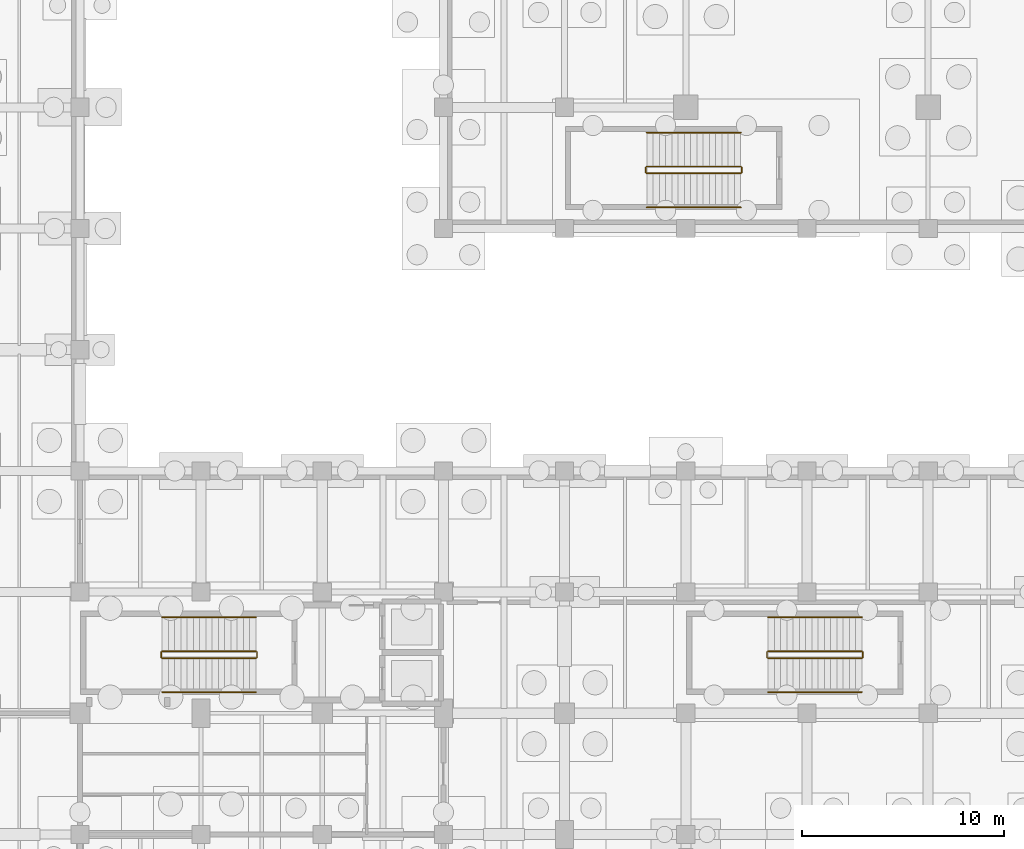
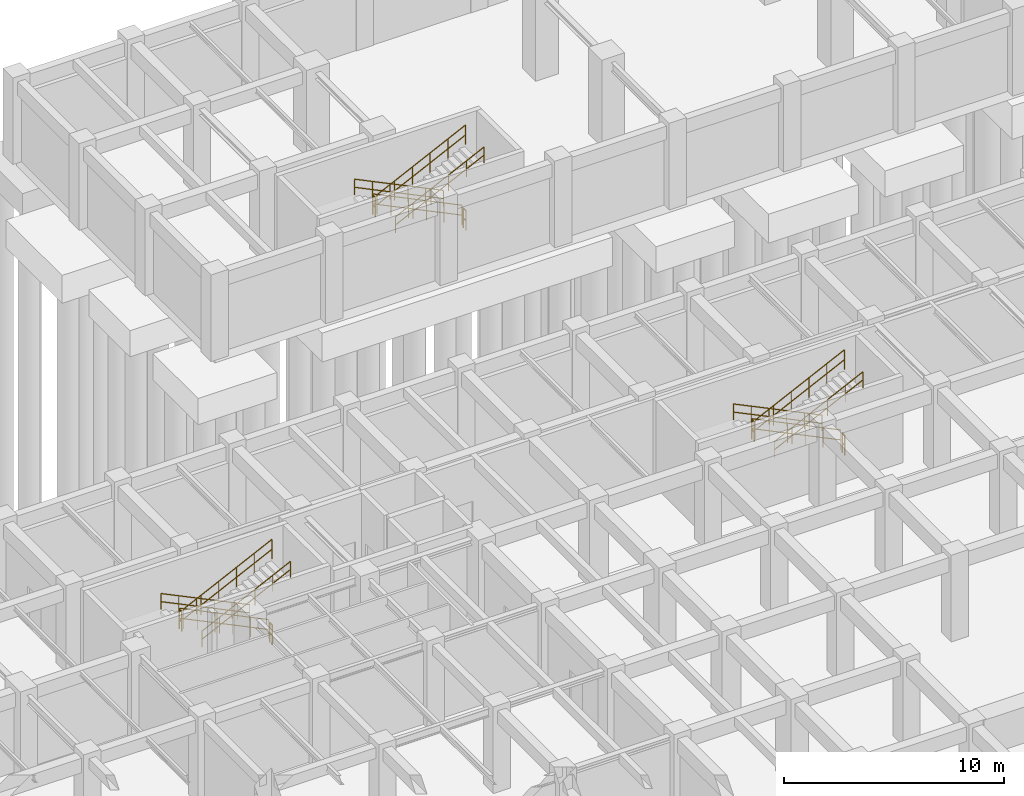
# One storey, part 50 of 54: 18 railings.
"""IFC4 building model written with IfcOpenShell, lengths in metres."""

import ifcopenshell
import ifcopenshell.guid

model = None  # the IFC model being written
_history = None  # IfcOwnerHistory: only IFC2X3 demands one
_inside = {}  # id of a spatial element -> (the spatial element, [elements in it])
_under = {}  # id of a project, library or spatial element -> (it, [spatial elements below it])
_declared = {}  # id of a project -> (the project, [libraries it declares])
_typed = {}  # id of a type object -> (the type object, [elements of that type])
_made_of = {}  # id of a material, layer set ... -> (it, [elements and type objects made of it])


def new_model(schema):
    """Start an empty IFC model of exactly this schema.

    Asked for "IFC4X3", IfcOpenShell would pick the latest addendum, in which some entities
    have other attributes; the version numbers below select the first issue.
    IFC2X3 requires an IfcOwnerHistory on every rooted entity: one is made here for all.
    """
    global model, _history
    if schema == "IFC4X3":
        model = ifcopenshell.file(schema_version=(4, 3, 0, 0))
    else:
        model = ifcopenshell.file(schema=schema)
    _inside.clear()
    _under.clear()
    _declared.clear()
    _typed.clear()
    _made_of.clear()
    _history = None
    if model.schema == "IFC2X3":
        org = make("IfcOrganization", Name="unknown")
        user = make(
            "IfcPersonAndOrganization",
            ThePerson=make("IfcPerson", FamilyName="unknown"),
            TheOrganization=org,
        )
        app = make(
            "IfcApplication",
            ApplicationDeveloper=org,
            Version="unknown",
            ApplicationFullName="unknown",
            ApplicationIdentifier="unknown",
        )
        _history = make(
            "IfcOwnerHistory",
            OwningUser=user,
            OwningApplication=app,
            ChangeAction="ADDED",
            CreationDate=0,
        )
    return model


def make(cls, **values):
    """One entity of the class cls with the attributes given. An attribute that is None is left unset."""
    return model.create_entity(
        cls, **{name: value for name, value in values.items() if value is not None}
    )


def rooted(cls, **values):
    """An entity with a GlobalId (a new one), such as an element, a storey or a relation."""
    return make(cls, GlobalId=ifcopenshell.guid.new(), OwnerHistory=_history, **values)


def si_unit(unit_type, name, prefix=None):
    """IfcSIUnit, for example si_unit("LENGTHUNIT", "METRE", prefix="MILLI")."""
    return make("IfcSIUnit", UnitType=unit_type, Prefix=prefix, Name=name)


def assignment(units):
    """IfcUnitAssignment: the units of a project."""
    return None if units is None else make("IfcUnitAssignment", Units=units)


def point(xyz):
    """IfcCartesianPoint."""
    return None if xyz is None else make("IfcCartesianPoint", Coordinates=xyz)


def direction(xyz):
    """IfcDirection."""
    return None if xyz is None else make("IfcDirection", DirectionRatios=xyz)


def frame(location, z_axis=None, x_axis=None):
    """IfcAxis2Placement3D, a coordinate frame: its origin and axes. An axis left out is left unset."""
    return make(
        "IfcAxis2Placement3D",
        Location=point(location),
        Axis=direction(z_axis),
        RefDirection=direction(x_axis),
    )


def frame_2d(location, x_axis=None):
    """IfcAxis2Placement2D, a coordinate frame in the plane: its origin and x axis."""
    return make(
        "IfcAxis2Placement2D", Location=point(location), RefDirection=direction(x_axis)
    )


def origin():
    """The frame at (0, 0, 0) with its axes left unset."""
    return frame((0.0, 0.0, 0.0))


def origin_2d():
    """The frame at (0, 0) in the plane with its x axis left unset."""
    return frame_2d((0.0, 0.0))


def place(relative_to, where):
    """IfcLocalPlacement: puts the frame where relative to a parent placement (None: the world)."""
    return make(
        "IfcLocalPlacement", PlacementRelTo=relative_to, RelativePlacement=where
    )


def context(
    kind, dimensions, precision=None, world=None, true_north=None, identifier=None
):
    """IfcGeometricRepresentationContext, for example the 3D "Model" context."""
    return make(
        "IfcGeometricRepresentationContext",
        ContextIdentifier=identifier,
        ContextType=kind,
        CoordinateSpaceDimension=dimensions,
        Precision=precision,
        WorldCoordinateSystem=world,
        TrueNorth=true_north,
    )


def subcontext(parent, identifier, kind, view, scale=None):
    """IfcGeometricRepresentationSubContext, for example "Body" below "Model"."""
    return make(
        "IfcGeometricRepresentationSubContext",
        ContextIdentifier=identifier,
        ContextType=kind,
        ParentContext=parent,
        TargetScale=scale,
        TargetView=view,
    )


def project(units=None, contexts=None):
    """IfcProject with its units and contexts."""
    return rooted(
        "IfcProject",
        Name="project",
        RepresentationContexts=contexts,
        UnitsInContext=assignment(units),
    )


def spatial(cls, under=None, at=None, **own):
    """A site, building, storey or space (cls), placed at a placement, below another one or the project."""
    s = rooted(cls, ObjectPlacement=at, **own)
    if under is not None:
        _under.setdefault(under.id(), (under, []))[1].append(s)
    return s


def profile(cls, at=None, kind="AREA", **sizes):
    """A parametric profile (cls). Its sizes go by their IFC names, for example OverallWidth=200.0."""
    return make(cls, ProfileType=kind, Position=at, **sizes)


def circle(**sizes):
    """IfcCircleProfileDef."""
    return profile("IfcCircleProfileDef", **sizes)


def extrude(swept, where, along, depth):
    """IfcExtrudedAreaSolid: the profile swept, set in the frame where, extruded along a direction by depth."""
    return make(
        "IfcExtrudedAreaSolid",
        SweptArea=swept,
        Position=where,
        ExtrudedDirection=direction(along),
        Depth=depth,
    )


def shape(context_of_items, identifier, shape_type, items):
    """IfcShapeRepresentation: the items that make up one representation, for example the "Body"."""
    return make(
        "IfcShapeRepresentation",
        ContextOfItems=context_of_items,
        RepresentationIdentifier=identifier,
        RepresentationType=shape_type,
        Items=items,
    )


def material(Name=None, Category=None):
    """IfcMaterial."""
    return make("IfcMaterial", Name=Name, Category=Category)


def made_of(thing, what):
    """Note that an element or type object is made of a material, layer set ...; save() writes the relation."""
    if what is not None:
        _made_of.setdefault(what.id(), (what, []))[1].append(thing)
    return thing


def type_object(cls, material=None, **own):
    """A type object (cls), such as IfcWallType, which elements share."""
    return made_of(rooted(cls, **own), material)


def element(
    cls,
    number,
    at=None,
    inside=None,
    cuts=None,
    type_object=None,
    material=None,
    context=None,
    identifier="Body",
    shape_type=None,
    held_by="IfcProductDefinitionShape",
    body=None,
    shapes=None,
    **own,
):
    """One element of the class cls, such as IfcWall. Its Tag is "e" and its number.

    at: its placement. inside: the storey or other place that contains it. cuts: it is an
    opening in that element (IfcRelVoidsElement). A single representation is given by context,
    identifier, shape_type and body (its items); several are given by shapes. held_by: the class
    of the entity that holds the representations. save() writes the other relations.
    """
    e = rooted(cls, Tag="e%d" % number, ObjectPlacement=at, **own)
    if body is not None:
        shapes = [shape(context, identifier, shape_type, body)]
    if shapes is not None:
        e.Representation = make(held_by, Representations=shapes)
    if inside is not None:
        _inside.setdefault(inside.id(), (inside, []))[1].append(e)
    if cuts is not None:
        rooted(
            "IfcRelVoidsElement", RelatingBuildingElement=cuts, RelatedOpeningElement=e
        )
    if type_object is not None:
        _typed.setdefault(type_object.id(), (type_object, []))[1].append(e)
    return made_of(e, material)


def aggregate(whole, parts):
    """IfcRelAggregates: a whole, such as a stair, and the parts it consists of."""
    return rooted("IfcRelAggregates", RelatingObject=whole, RelatedObjects=parts)


def save(model, path):
    """Write the relations noted so far, then the file.

    IfcRelAggregates (storeys below a building ...), IfcRelContainedInSpatialStructure (elements
    in a storey), IfcRelDefinesByType, IfcRelAssociatesMaterial and IfcRelDeclares: one each for
    every whole, place, type object, material and project.
    """
    for whole, parts in _under.values():
        aggregate(whole, parts)
    for where, things in _inside.values():
        rooted(
            "IfcRelContainedInSpatialStructure",
            RelatedElements=things,
            RelatingStructure=where,
        )
    for kind, things in _typed.values():
        rooted("IfcRelDefinesByType", RelatedObjects=things, RelatingType=kind)
    for what, things in _made_of.values():
        rooted("IfcRelAssociatesMaterial", RelatedObjects=things, RelatingMaterial=what)
    for by, libraries in _declared.values():
        rooted("IfcRelDeclares", RelatingContext=by, RelatedDefinitions=libraries)
    model.write(path)


model = new_model("IFC4")

# Units and contexts
model_context = context("Model", 3, precision=1e-05, world=origin(), true_north=direction((0.0, 1.0)))
body_context = subcontext(model_context, "Body", "Model", "MODEL_VIEW")
ifc_project = project(units=[si_unit("LENGTHUNIT", "METRE"), si_unit("AREAUNIT", "SQUARE_METRE"), si_unit("VOLUMEUNIT", "CUBIC_METRE"), si_unit("PLANEANGLEUNIT", "RADIAN"), si_unit("MASSUNIT", "GRAM", prefix="KILO"), si_unit("THERMODYNAMICTEMPERATUREUNIT", "KELVIN"), si_unit("POWERUNIT", "WATT")], contexts=[model_context])

# Site, building, storey
site_placement = place(None, origin())
site = spatial("IfcSite", under=ifc_project, at=site_placement, CompositionType="ELEMENT")
building_placement = place(site_placement, origin())
building = spatial("IfcBuilding", under=site, at=building_placement, Name="Phaisarnlok Congress Hotel", CompositionType="ELEMENT")
storey_placement = place(building_placement, frame((0.0, 0.0, -4.800048828125)))
storey = spatial("IfcBuildingStorey", under=building, at=storey_placement, Name="B01", CompositionType="ELEMENT", Elevation=-4.800048828125)

# Railings
ifc_material_1 = material(Name="Painted Galvanised Steel S275", Category="steel")
railing_type_1 = type_object("IfcRailingType", Name="RLG-STR-GUARD", PredefinedType="BALUSTRADE", material=ifc_material_1)
railing_1_placement = place(storey_placement, frame((50.719970703125, 87.070068359375, 0.150146484375)))
element("IfcRailing", 1, at=railing_1_placement, inside=storey, type_object=railing_type_1, Name="B01 ST-01 stair guard 1", PredefinedType="BALUSTRADE", context=body_context, shape_type="SweptSolid", body=[
    extrude(circle(Radius=0.02392578125, at=origin_2d()), frame((0.0, 0.0, 1.076171875), z_axis=(-0.900155664878, 0.0, 0.435568340204), x_axis=(0.0, -1.0, 0.0)), (0.0, 0.0, 1.0), 5.165771484375),
    extrude(circle(Radius=0.02392578125, at=origin_2d()), frame((0.0, 0.0, 0.52587890625), z_axis=(-0.900155664878, 0.0, 0.435568340204), x_axis=(0.0, -1.0, 0.0)), (0.0, 0.0, 1.0), 5.165771484375),
    extrude(circle(Radius=0.02099609375, at=origin_2d()), origin(), (0.0, 0.0, 1.0), 1.052001953125),
    extrude(circle(Radius=0.02099609375, at=origin_2d()), frame((-0.929931640625, 0.0, 0.449951171875)), (0.0, 0.0, 1.0), 1.052001953125),
    extrude(circle(Radius=0.02099609375, at=origin_2d()), frame((-1.85986328125, 0.0, 0.89990234375)), (0.0, 0.0, 1.0), 1.052001953125),
    extrude(circle(Radius=0.02099609375, at=origin_2d()), frame((-2.7900390625, 0.0, 1.35009765625)), (0.0, 0.0, 1.0), 1.052001953125),
    extrude(circle(Radius=0.02099609375, at=origin_2d()), frame((-3.719970703125, 0.0, 1.800048828125)), (0.0, 0.0, 1.0), 1.052001953125),
    extrude(circle(Radius=0.02099609375, at=origin_2d()), frame((-4.64990234375, 0.0, 2.25)), (0.0, 0.0, 1.0), 1.052001953125),
])
railing_2_placement = place(storey_placement, frame((46.02001953125, 87.02001953125, 2.400146484375)))
element("IfcRailing", 2, at=railing_2_placement, inside=storey, type_object=railing_type_1, Name="B01 ST-01 stair guard 2", PredefinedType="BALUSTRADE", context=body_context, shape_type="SweptSolid", body=[
    extrude(circle(Radius=0.02392578125, at=origin_2d()), frame((0.0, 0.0, 1.076171875), z_axis=(0.0, -1.0, 0.0), x_axis=(1.0, 0.0, 0.0)), (0.0, 0.0, 1.0), 0.239990234375),
    extrude(circle(Radius=0.02392578125, at=origin_2d()), frame((0.0, 0.0, 0.52587890625), z_axis=(0.0, -1.0, 0.0), x_axis=(1.0, 0.0, 0.0)), (0.0, 0.0, 1.0), 0.239990234375),
    extrude(circle(Radius=0.02099609375, at=origin_2d()), origin(), (0.0, 0.0, 1.0), 1.052001953125),
    extrude(circle(Radius=0.02099609375, at=origin_2d()), frame((0.0, -0.239990234375, 0.0)), (0.0, 0.0, 1.0), 1.052001953125),
])
railing_3_placement = place(storey_placement, frame((46.070068359375, 86.72998046875, 2.550048828125)))
element("IfcRailing", 3, at=railing_3_placement, inside=storey, type_object=railing_type_1, Name="B01 ST-01 stair guard 3", PredefinedType="BALUSTRADE", context=body_context, shape_type="SweptSolid", body=[
    extrude(circle(Radius=0.02392578125, at=origin_2d()), frame((0.0, 0.0, 1.076171875), z_axis=(0.900155664878, 0.0, 0.435568340204), x_axis=(0.0, 1.0, 0.0)), (0.0, 0.0, 1.0), 5.165771484375),
    extrude(circle(Radius=0.02392578125, at=origin_2d()), frame((0.0, 0.0, 0.52587890625), z_axis=(0.900155664878, 0.0, 0.435568340204), x_axis=(0.0, 1.0, 0.0)), (0.0, 0.0, 1.0), 5.165771484375),
    extrude(circle(Radius=0.02099609375, at=origin_2d()), origin(), (0.0, 0.0, 1.0), 1.052001953125),
    extrude(circle(Radius=0.02099609375, at=origin_2d()), frame((0.929931640625, 0.0, 0.449951171875)), (0.0, 0.0, 1.0), 1.052001953125),
    extrude(circle(Radius=0.02099609375, at=origin_2d()), frame((1.85986328125, 0.0, 0.89990234375)), (0.0, 0.0, 1.0), 1.052001953125),
    extrude(circle(Radius=0.02099609375, at=origin_2d()), frame((2.7900390625, 0.0, 1.35009765625)), (0.0, 0.0, 1.0), 1.052001953125),
    extrude(circle(Radius=0.02099609375, at=origin_2d()), frame((3.719970703125, 0.0, 1.800048828125)), (0.0, 0.0, 1.0), 1.052001953125),
    extrude(circle(Radius=0.02099609375, at=origin_2d()), frame((4.64990234375, 0.0, 2.25)), (0.0, 0.0, 1.0), 1.052001953125),
])
railing_4_placement = place(storey_placement, frame((50.77001953125, 87.02001953125, 0.0)))
element("IfcRailing", 4, at=railing_4_placement, inside=storey, type_object=railing_type_1, Name="B01 ST-01 stair guard 4", PredefinedType="BALUSTRADE", context=body_context, shape_type="SweptSolid", body=[
    extrude(circle(Radius=0.02392578125, at=origin_2d()), frame((0.0, 0.0, 1.076171875), z_axis=(0.0, -1.0, 0.0), x_axis=(1.0, 0.0, 0.0)), (0.0, 0.0, 1.0), 0.239990234375),
    extrude(circle(Radius=0.02392578125, at=origin_2d()), frame((0.0, 0.0, 0.52587890625), z_axis=(0.0, -1.0, 0.0), x_axis=(1.0, 0.0, 0.0)), (0.0, 0.0, 1.0), 0.239990234375),
    extrude(circle(Radius=0.02099609375, at=origin_2d()), origin(), (0.0, 0.0, 1.0), 1.052001953125),
    extrude(circle(Radius=0.02099609375, at=origin_2d()), frame((0.0, -0.239990234375, 0.0)), (0.0, 0.0, 1.0), 1.052001953125),
])
railing_5_placement = place(storey_placement, frame((74.719970703125, 111.070068359375, 0.150146484375)))
element("IfcRailing", 5, at=railing_5_placement, inside=storey, type_object=railing_type_1, Name="B01 ST-10 stair guard 1", PredefinedType="BALUSTRADE", context=body_context, shape_type="SweptSolid", body=[
    extrude(circle(Radius=0.02392578125, at=origin_2d()), frame((0.0, 0.0, 1.076171875), z_axis=(-0.900155664878, 0.0, 0.435568340204), x_axis=(0.0, -1.0, 0.0)), (0.0, 0.0, 1.0), 5.165771484375),
    extrude(circle(Radius=0.02392578125, at=origin_2d()), frame((0.0, 0.0, 0.52587890625), z_axis=(-0.900155664878, 0.0, 0.435568340204), x_axis=(0.0, -1.0, 0.0)), (0.0, 0.0, 1.0), 5.165771484375),
    extrude(circle(Radius=0.02099609375, at=origin_2d()), origin(), (0.0, 0.0, 1.0), 1.052001953125),
    extrude(circle(Radius=0.02099609375, at=origin_2d()), frame((-0.929931640625, 0.0, 0.449951171875)), (0.0, 0.0, 1.0), 1.052001953125),
    extrude(circle(Radius=0.02099609375, at=origin_2d()), frame((-1.85986328125, 0.0, 0.89990234375)), (0.0, 0.0, 1.0), 1.052001953125),
    extrude(circle(Radius=0.02099609375, at=origin_2d()), frame((-2.7900390625, 0.0, 1.35009765625)), (0.0, 0.0, 1.0), 1.052001953125),
    extrude(circle(Radius=0.02099609375, at=origin_2d()), frame((-3.719970703125, 0.0, 1.800048828125)), (0.0, 0.0, 1.0), 1.052001953125),
    extrude(circle(Radius=0.02099609375, at=origin_2d()), frame((-4.64990234375, 0.0, 2.25)), (0.0, 0.0, 1.0), 1.052001953125),
])
railing_6_placement = place(storey_placement, frame((70.02001953125, 111.02001953125, 2.400146484375)))
element("IfcRailing", 6, at=railing_6_placement, inside=storey, type_object=railing_type_1, Name="B01 ST-10 stair guard 2", PredefinedType="BALUSTRADE", context=body_context, shape_type="SweptSolid", body=[
    extrude(circle(Radius=0.02392578125, at=origin_2d()), frame((0.0, 0.0, 1.076171875), z_axis=(0.0, -1.0, 0.0), x_axis=(1.0, 0.0, 0.0)), (0.0, 0.0, 1.0), 0.239990234375),
    extrude(circle(Radius=0.02392578125, at=origin_2d()), frame((0.0, 0.0, 0.52587890625), z_axis=(0.0, -1.0, 0.0), x_axis=(1.0, 0.0, 0.0)), (0.0, 0.0, 1.0), 0.239990234375),
    extrude(circle(Radius=0.02099609375, at=origin_2d()), origin(), (0.0, 0.0, 1.0), 1.052001953125),
    extrude(circle(Radius=0.02099609375, at=origin_2d()), frame((0.0, -0.239990234375, 0.0)), (0.0, 0.0, 1.0), 1.052001953125),
])
railing_7_placement = place(storey_placement, frame((70.070068359375, 110.72998046875, 2.550048828125)))
element("IfcRailing", 7, at=railing_7_placement, inside=storey, type_object=railing_type_1, Name="B01 ST-10 stair guard 3", PredefinedType="BALUSTRADE", context=body_context, shape_type="SweptSolid", body=[
    extrude(circle(Radius=0.02392578125, at=origin_2d()), frame((0.0, 0.0, 1.076171875), z_axis=(0.900155664878, 0.0, 0.435568340204), x_axis=(0.0, 1.0, 0.0)), (0.0, 0.0, 1.0), 5.165771484375),
    extrude(circle(Radius=0.02392578125, at=origin_2d()), frame((0.0, 0.0, 0.52587890625), z_axis=(0.900155664878, 0.0, 0.435568340204), x_axis=(0.0, 1.0, 0.0)), (0.0, 0.0, 1.0), 5.165771484375),
    extrude(circle(Radius=0.02099609375, at=origin_2d()), origin(), (0.0, 0.0, 1.0), 1.052001953125),
    extrude(circle(Radius=0.02099609375, at=origin_2d()), frame((0.929931640625, 0.0, 0.449951171875)), (0.0, 0.0, 1.0), 1.052001953125),
    extrude(circle(Radius=0.02099609375, at=origin_2d()), frame((1.85986328125, 0.0, 0.89990234375)), (0.0, 0.0, 1.0), 1.052001953125),
    extrude(circle(Radius=0.02099609375, at=origin_2d()), frame((2.7900390625, 0.0, 1.35009765625)), (0.0, 0.0, 1.0), 1.052001953125),
    extrude(circle(Radius=0.02099609375, at=origin_2d()), frame((3.719970703125, 0.0, 1.800048828125)), (0.0, 0.0, 1.0), 1.052001953125),
    extrude(circle(Radius=0.02099609375, at=origin_2d()), frame((4.64990234375, 0.0, 2.25)), (0.0, 0.0, 1.0), 1.052001953125),
])
railing_8_placement = place(storey_placement, frame((74.77001953125, 111.02001953125, 0.0)))
element("IfcRailing", 8, at=railing_8_placement, inside=storey, type_object=railing_type_1, Name="B01 ST-10 stair guard 4", PredefinedType="BALUSTRADE", context=body_context, shape_type="SweptSolid", body=[
    extrude(circle(Radius=0.02392578125, at=origin_2d()), frame((0.0, 0.0, 1.076171875), z_axis=(0.0, -1.0, 0.0), x_axis=(1.0, 0.0, 0.0)), (0.0, 0.0, 1.0), 0.239990234375),
    extrude(circle(Radius=0.02392578125, at=origin_2d()), frame((0.0, 0.0, 0.52587890625), z_axis=(0.0, -1.0, 0.0), x_axis=(1.0, 0.0, 0.0)), (0.0, 0.0, 1.0), 0.239990234375),
    extrude(circle(Radius=0.02099609375, at=origin_2d()), origin(), (0.0, 0.0, 1.0), 1.052001953125),
    extrude(circle(Radius=0.02099609375, at=origin_2d()), frame((0.0, -0.239990234375, 0.0)), (0.0, 0.0, 1.0), 1.052001953125),
])
railing_9_placement = place(storey_placement, frame((80.719970703125, 87.070068359375, 0.150146484375)))
element("IfcRailing", 9, at=railing_9_placement, inside=storey, type_object=railing_type_1, Name="B01 ST-11 stair guard 1", PredefinedType="BALUSTRADE", context=body_context, shape_type="SweptSolid", body=[
    extrude(circle(Radius=0.02392578125, at=origin_2d()), frame((0.0, 0.0, 1.076171875), z_axis=(-0.900155664878, 0.0, 0.435568340204), x_axis=(0.0, -1.0, 0.0)), (0.0, 0.0, 1.0), 5.165771484375),
    extrude(circle(Radius=0.02392578125, at=origin_2d()), frame((0.0, 0.0, 0.52587890625), z_axis=(-0.900155664878, 0.0, 0.435568340204), x_axis=(0.0, -1.0, 0.0)), (0.0, 0.0, 1.0), 5.165771484375),
    extrude(circle(Radius=0.02099609375, at=origin_2d()), origin(), (0.0, 0.0, 1.0), 1.052001953125),
    extrude(circle(Radius=0.02099609375, at=origin_2d()), frame((-0.929931640625, 0.0, 0.449951171875)), (0.0, 0.0, 1.0), 1.052001953125),
    extrude(circle(Radius=0.02099609375, at=origin_2d()), frame((-1.85986328125, 0.0, 0.89990234375)), (0.0, 0.0, 1.0), 1.052001953125),
    extrude(circle(Radius=0.02099609375, at=origin_2d()), frame((-2.7900390625, 0.0, 1.35009765625)), (0.0, 0.0, 1.0), 1.052001953125),
    extrude(circle(Radius=0.02099609375, at=origin_2d()), frame((-3.719970703125, 0.0, 1.800048828125)), (0.0, 0.0, 1.0), 1.052001953125),
    extrude(circle(Radius=0.02099609375, at=origin_2d()), frame((-4.64990234375, 0.0, 2.25)), (0.0, 0.0, 1.0), 1.052001953125),
])
railing_10_placement = place(storey_placement, frame((76.02001953125, 87.02001953125, 2.400146484375)))
element("IfcRailing", 10, at=railing_10_placement, inside=storey, type_object=railing_type_1, Name="B01 ST-11 stair guard 2", PredefinedType="BALUSTRADE", context=body_context, shape_type="SweptSolid", body=[
    extrude(circle(Radius=0.02392578125, at=origin_2d()), frame((0.0, 0.0, 1.076171875), z_axis=(0.0, -1.0, 0.0), x_axis=(1.0, 0.0, 0.0)), (0.0, 0.0, 1.0), 0.239990234375),
    extrude(circle(Radius=0.02392578125, at=origin_2d()), frame((0.0, 0.0, 0.52587890625), z_axis=(0.0, -1.0, 0.0), x_axis=(1.0, 0.0, 0.0)), (0.0, 0.0, 1.0), 0.239990234375),
    extrude(circle(Radius=0.02099609375, at=origin_2d()), origin(), (0.0, 0.0, 1.0), 1.052001953125),
    extrude(circle(Radius=0.02099609375, at=origin_2d()), frame((0.0, -0.239990234375, 0.0)), (0.0, 0.0, 1.0), 1.052001953125),
])
railing_11_placement = place(storey_placement, frame((76.070068359375, 86.72998046875, 2.550048828125)))
element("IfcRailing", 11, at=railing_11_placement, inside=storey, type_object=railing_type_1, Name="B01 ST-11 stair guard 3", PredefinedType="BALUSTRADE", context=body_context, shape_type="SweptSolid", body=[
    extrude(circle(Radius=0.02392578125, at=origin_2d()), frame((0.0, 0.0, 1.076171875), z_axis=(0.900155664878, 0.0, 0.435568340204), x_axis=(0.0, 1.0, 0.0)), (0.0, 0.0, 1.0), 5.165771484375),
    extrude(circle(Radius=0.02392578125, at=origin_2d()), frame((0.0, 0.0, 0.52587890625), z_axis=(0.900155664878, 0.0, 0.435568340204), x_axis=(0.0, 1.0, 0.0)), (0.0, 0.0, 1.0), 5.165771484375),
    extrude(circle(Radius=0.02099609375, at=origin_2d()), origin(), (0.0, 0.0, 1.0), 1.052001953125),
    extrude(circle(Radius=0.02099609375, at=origin_2d()), frame((0.929931640625, 0.0, 0.449951171875)), (0.0, 0.0, 1.0), 1.052001953125),
    extrude(circle(Radius=0.02099609375, at=origin_2d()), frame((1.85986328125, 0.0, 0.89990234375)), (0.0, 0.0, 1.0), 1.052001953125),
    extrude(circle(Radius=0.02099609375, at=origin_2d()), frame((2.7900390625, 0.0, 1.35009765625)), (0.0, 0.0, 1.0), 1.052001953125),
    extrude(circle(Radius=0.02099609375, at=origin_2d()), frame((3.719970703125, 0.0, 1.800048828125)), (0.0, 0.0, 1.0), 1.052001953125),
    extrude(circle(Radius=0.02099609375, at=origin_2d()), frame((4.64990234375, 0.0, 2.25)), (0.0, 0.0, 1.0), 1.052001953125),
])
railing_12_placement = place(storey_placement, frame((80.77001953125, 87.02001953125, 0.0)))
element("IfcRailing", 12, at=railing_12_placement, inside=storey, type_object=railing_type_1, Name="B01 ST-11 stair guard 4", PredefinedType="BALUSTRADE", context=body_context, shape_type="SweptSolid", body=[
    extrude(circle(Radius=0.02392578125, at=origin_2d()), frame((0.0, 0.0, 1.076171875), z_axis=(0.0, -1.0, 0.0), x_axis=(1.0, 0.0, 0.0)), (0.0, 0.0, 1.0), 0.239990234375),
    extrude(circle(Radius=0.02392578125, at=origin_2d()), frame((0.0, 0.0, 0.52587890625), z_axis=(0.0, -1.0, 0.0), x_axis=(1.0, 0.0, 0.0)), (0.0, 0.0, 1.0), 0.239990234375),
    extrude(circle(Radius=0.02099609375, at=origin_2d()), origin(), (0.0, 0.0, 1.0), 1.052001953125),
    extrude(circle(Radius=0.02099609375, at=origin_2d()), frame((0.0, -0.239990234375, 0.0)), (0.0, 0.0, 1.0), 1.052001953125),
])
ifc_material_2 = material(Name="Brushed Stainless Steel Grade 304", Category="steel")
railing_type_2 = type_object("IfcRailingType", Name="RLG-STR-HRAIL", PredefinedType="HANDRAIL", material=ifc_material_2)
railing_13_placement = place(storey_placement, frame((50.719970703125, 88.75, 0.150146484375)))
element("IfcRailing", 13, at=railing_13_placement, inside=storey, type_object=railing_type_2, Name="B01 ST-01 stair handrail 1", PredefinedType="HANDRAIL", context=body_context, shape_type="SweptSolid", body=[
    extrude(circle(Radius=0.02392578125, at=origin_2d()), frame((0.0, 0.0, 0.8759765625), z_axis=(-0.900155664878, 0.0, 0.435568340204), x_axis=(0.0, -1.0, 0.0)), (0.0, 0.0, 1.0), 5.165771484375),
    extrude(circle(Radius=0.02392578125, at=origin_2d()), frame((0.0, 0.0, 0.42578125), z_axis=(-0.900155664878, 0.0, 0.435568340204), x_axis=(0.0, -1.0, 0.0)), (0.0, 0.0, 1.0), 5.165771484375),
    extrude(circle(Radius=0.02099609375, at=origin_2d()), origin(), (0.0, 0.0, 1.0), 0.851806640625),
    extrude(circle(Radius=0.02099609375, at=origin_2d()), frame((-0.929931640625, 0.0, 0.449951171875)), (0.0, 0.0, 1.0), 0.851806640625),
    extrude(circle(Radius=0.02099609375, at=origin_2d()), frame((-1.85986328125, 0.0, 0.89990234375)), (0.0, 0.0, 1.0), 0.851806640625),
    extrude(circle(Radius=0.02099609375, at=origin_2d()), frame((-2.7900390625, 0.0, 1.35009765625)), (0.0, 0.0, 1.0), 0.851806640625),
    extrude(circle(Radius=0.02099609375, at=origin_2d()), frame((-3.719970703125, 0.0, 1.800048828125)), (0.0, 0.0, 1.0), 0.851806640625),
    extrude(circle(Radius=0.02099609375, at=origin_2d()), frame((-4.64990234375, 0.0, 2.25)), (0.0, 0.0, 1.0), 0.851806640625),
])
railing_14_placement = place(storey_placement, frame((46.070068359375, 85.050048828125, 2.550048828125)))
element("IfcRailing", 14, at=railing_14_placement, inside=storey, type_object=railing_type_2, Name="B01 ST-01 stair handrail 2", PredefinedType="HANDRAIL", context=body_context, shape_type="SweptSolid", body=[
    extrude(circle(Radius=0.02392578125, at=origin_2d()), frame((0.0, 0.0, 0.8759765625), z_axis=(0.900155664878, 0.0, 0.435568340204), x_axis=(0.0, 1.0, 0.0)), (0.0, 0.0, 1.0), 5.165771484375),
    extrude(circle(Radius=0.02392578125, at=origin_2d()), frame((0.0, 0.0, 0.42578125), z_axis=(0.900155664878, 0.0, 0.435568340204), x_axis=(0.0, 1.0, 0.0)), (0.0, 0.0, 1.0), 5.165771484375),
    extrude(circle(Radius=0.02099609375, at=origin_2d()), origin(), (0.0, 0.0, 1.0), 0.851806640625),
    extrude(circle(Radius=0.02099609375, at=origin_2d()), frame((0.929931640625, 0.0, 0.449951171875)), (0.0, 0.0, 1.0), 0.851806640625),
    extrude(circle(Radius=0.02099609375, at=origin_2d()), frame((1.85986328125, 0.0, 0.89990234375)), (0.0, 0.0, 1.0), 0.851806640625),
    extrude(circle(Radius=0.02099609375, at=origin_2d()), frame((2.7900390625, 0.0, 1.35009765625)), (0.0, 0.0, 1.0), 0.851806640625),
    extrude(circle(Radius=0.02099609375, at=origin_2d()), frame((3.719970703125, 0.0, 1.800048828125)), (0.0, 0.0, 1.0), 0.851806640625),
    extrude(circle(Radius=0.02099609375, at=origin_2d()), frame((4.64990234375, 0.0, 2.25)), (0.0, 0.0, 1.0), 0.851806640625),
])
railing_15_placement = place(storey_placement, frame((74.719970703125, 112.75, 0.150146484375)))
element("IfcRailing", 15, at=railing_15_placement, inside=storey, type_object=railing_type_2, Name="B01 ST-10 stair handrail 1", PredefinedType="HANDRAIL", context=body_context, shape_type="SweptSolid", body=[
    extrude(circle(Radius=0.02392578125, at=origin_2d()), frame((0.0, 0.0, 0.8759765625), z_axis=(-0.900155664878, 0.0, 0.435568340204), x_axis=(0.0, -1.0, 0.0)), (0.0, 0.0, 1.0), 5.165771484375),
    extrude(circle(Radius=0.02392578125, at=origin_2d()), frame((0.0, 0.0, 0.42578125), z_axis=(-0.900155664878, 0.0, 0.435568340204), x_axis=(0.0, -1.0, 0.0)), (0.0, 0.0, 1.0), 5.165771484375),
    extrude(circle(Radius=0.02099609375, at=origin_2d()), origin(), (0.0, 0.0, 1.0), 0.851806640625),
    extrude(circle(Radius=0.02099609375, at=origin_2d()), frame((-0.929931640625, 0.0, 0.449951171875)), (0.0, 0.0, 1.0), 0.851806640625),
    extrude(circle(Radius=0.02099609375, at=origin_2d()), frame((-1.85986328125, 0.0, 0.89990234375)), (0.0, 0.0, 1.0), 0.851806640625),
    extrude(circle(Radius=0.02099609375, at=origin_2d()), frame((-2.7900390625, 0.0, 1.35009765625)), (0.0, 0.0, 1.0), 0.851806640625),
    extrude(circle(Radius=0.02099609375, at=origin_2d()), frame((-3.719970703125, 0.0, 1.800048828125)), (0.0, 0.0, 1.0), 0.851806640625),
    extrude(circle(Radius=0.02099609375, at=origin_2d()), frame((-4.64990234375, 0.0, 2.25)), (0.0, 0.0, 1.0), 0.851806640625),
])
railing_16_placement = place(storey_placement, frame((70.070068359375, 109.050048828125, 2.550048828125)))
element("IfcRailing", 16, at=railing_16_placement, inside=storey, type_object=railing_type_2, Name="B01 ST-10 stair handrail 2", PredefinedType="HANDRAIL", context=body_context, shape_type="SweptSolid", body=[
    extrude(circle(Radius=0.02392578125, at=origin_2d()), frame((0.0, 0.0, 0.8759765625), z_axis=(0.900155664878, 0.0, 0.435568340204), x_axis=(0.0, 1.0, 0.0)), (0.0, 0.0, 1.0), 5.165771484375),
    extrude(circle(Radius=0.02392578125, at=origin_2d()), frame((0.0, 0.0, 0.42578125), z_axis=(0.900155664878, 0.0, 0.435568340204), x_axis=(0.0, 1.0, 0.0)), (0.0, 0.0, 1.0), 5.165771484375),
    extrude(circle(Radius=0.02099609375, at=origin_2d()), origin(), (0.0, 0.0, 1.0), 0.851806640625),
    extrude(circle(Radius=0.02099609375, at=origin_2d()), frame((0.929931640625, 0.0, 0.449951171875)), (0.0, 0.0, 1.0), 0.851806640625),
    extrude(circle(Radius=0.02099609375, at=origin_2d()), frame((1.85986328125, 0.0, 0.89990234375)), (0.0, 0.0, 1.0), 0.851806640625),
    extrude(circle(Radius=0.02099609375, at=origin_2d()), frame((2.7900390625, 0.0, 1.35009765625)), (0.0, 0.0, 1.0), 0.851806640625),
    extrude(circle(Radius=0.02099609375, at=origin_2d()), frame((3.719970703125, 0.0, 1.800048828125)), (0.0, 0.0, 1.0), 0.851806640625),
    extrude(circle(Radius=0.02099609375, at=origin_2d()), frame((4.64990234375, 0.0, 2.25)), (0.0, 0.0, 1.0), 0.851806640625),
])
railing_17_placement = place(storey_placement, frame((80.719970703125, 88.75, 0.150146484375)))
element("IfcRailing", 17, at=railing_17_placement, inside=storey, type_object=railing_type_2, Name="B01 ST-11 stair handrail 1", PredefinedType="HANDRAIL", context=body_context, shape_type="SweptSolid", body=[
    extrude(circle(Radius=0.02392578125, at=origin_2d()), frame((0.0, 0.0, 0.8759765625), z_axis=(-0.900155664878, 0.0, 0.435568340204), x_axis=(0.0, -1.0, 0.0)), (0.0, 0.0, 1.0), 5.165771484375),
    extrude(circle(Radius=0.02392578125, at=origin_2d()), frame((0.0, 0.0, 0.42578125), z_axis=(-0.900155664878, 0.0, 0.435568340204), x_axis=(0.0, -1.0, 0.0)), (0.0, 0.0, 1.0), 5.165771484375),
    extrude(circle(Radius=0.02099609375, at=origin_2d()), origin(), (0.0, 0.0, 1.0), 0.851806640625),
    extrude(circle(Radius=0.02099609375, at=origin_2d()), frame((-0.929931640625, 0.0, 0.449951171875)), (0.0, 0.0, 1.0), 0.851806640625),
    extrude(circle(Radius=0.02099609375, at=origin_2d()), frame((-1.85986328125, 0.0, 0.89990234375)), (0.0, 0.0, 1.0), 0.851806640625),
    extrude(circle(Radius=0.02099609375, at=origin_2d()), frame((-2.7900390625, 0.0, 1.35009765625)), (0.0, 0.0, 1.0), 0.851806640625),
    extrude(circle(Radius=0.02099609375, at=origin_2d()), frame((-3.719970703125, 0.0, 1.800048828125)), (0.0, 0.0, 1.0), 0.851806640625),
    extrude(circle(Radius=0.02099609375, at=origin_2d()), frame((-4.64990234375, 0.0, 2.25)), (0.0, 0.0, 1.0), 0.851806640625),
])
railing_18_placement = place(storey_placement, frame((76.070068359375, 85.050048828125, 2.550048828125)))
element("IfcRailing", 18, at=railing_18_placement, inside=storey, type_object=railing_type_2, Name="B01 ST-11 stair handrail 2", PredefinedType="HANDRAIL", context=body_context, shape_type="SweptSolid", body=[
    extrude(circle(Radius=0.02392578125, at=origin_2d()), frame((0.0, 0.0, 0.8759765625), z_axis=(0.900155664878, 0.0, 0.435568340204), x_axis=(0.0, 1.0, 0.0)), (0.0, 0.0, 1.0), 5.165771484375),
    extrude(circle(Radius=0.02392578125, at=origin_2d()), frame((0.0, 0.0, 0.42578125), z_axis=(0.900155664878, 0.0, 0.435568340204), x_axis=(0.0, 1.0, 0.0)), (0.0, 0.0, 1.0), 5.165771484375),
    extrude(circle(Radius=0.02099609375, at=origin_2d()), origin(), (0.0, 0.0, 1.0), 0.851806640625),
    extrude(circle(Radius=0.02099609375, at=origin_2d()), frame((0.929931640625, 0.0, 0.449951171875)), (0.0, 0.0, 1.0), 0.851806640625),
    extrude(circle(Radius=0.02099609375, at=origin_2d()), frame((1.85986328125, 0.0, 0.89990234375)), (0.0, 0.0, 1.0), 0.851806640625),
    extrude(circle(Radius=0.02099609375, at=origin_2d()), frame((2.7900390625, 0.0, 1.35009765625)), (0.0, 0.0, 1.0), 0.851806640625),
    extrude(circle(Radius=0.02099609375, at=origin_2d()), frame((3.719970703125, 0.0, 1.800048828125)), (0.0, 0.0, 1.0), 0.851806640625),
    extrude(circle(Radius=0.02099609375, at=origin_2d()), frame((4.64990234375, 0.0, 2.25)), (0.0, 0.0, 1.0), 0.851806640625),
])

save(model, "model.ifc")
